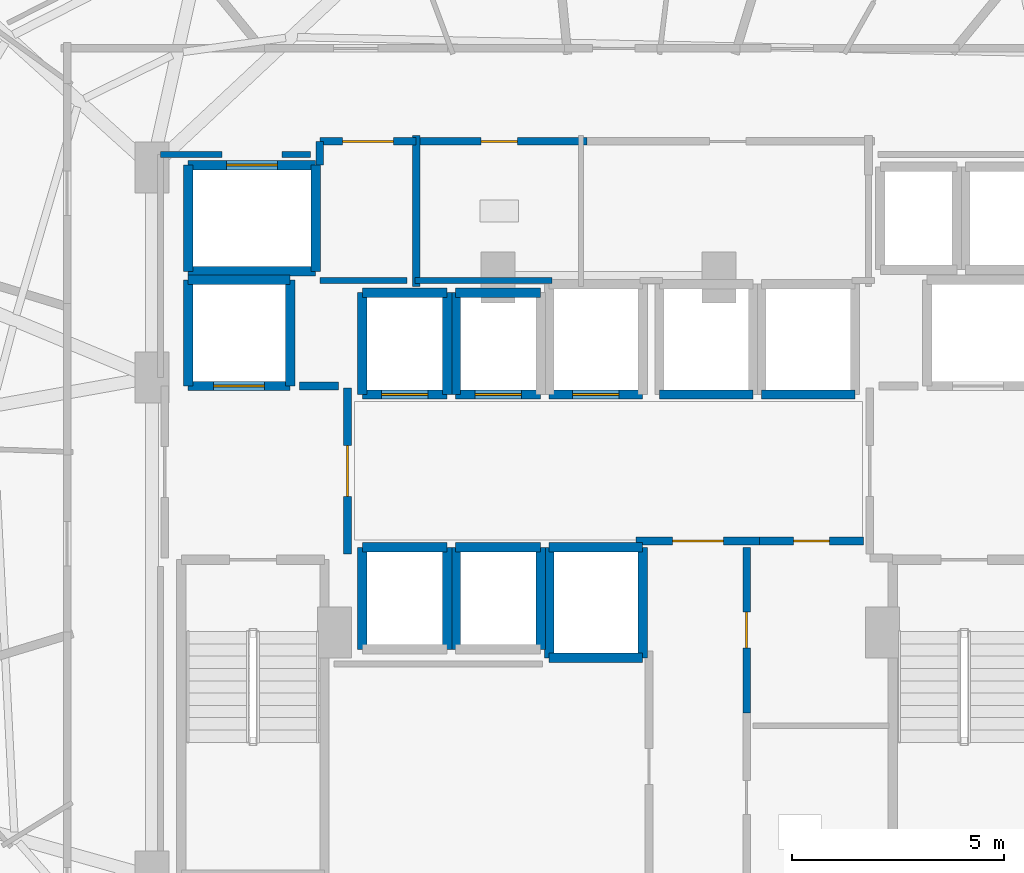
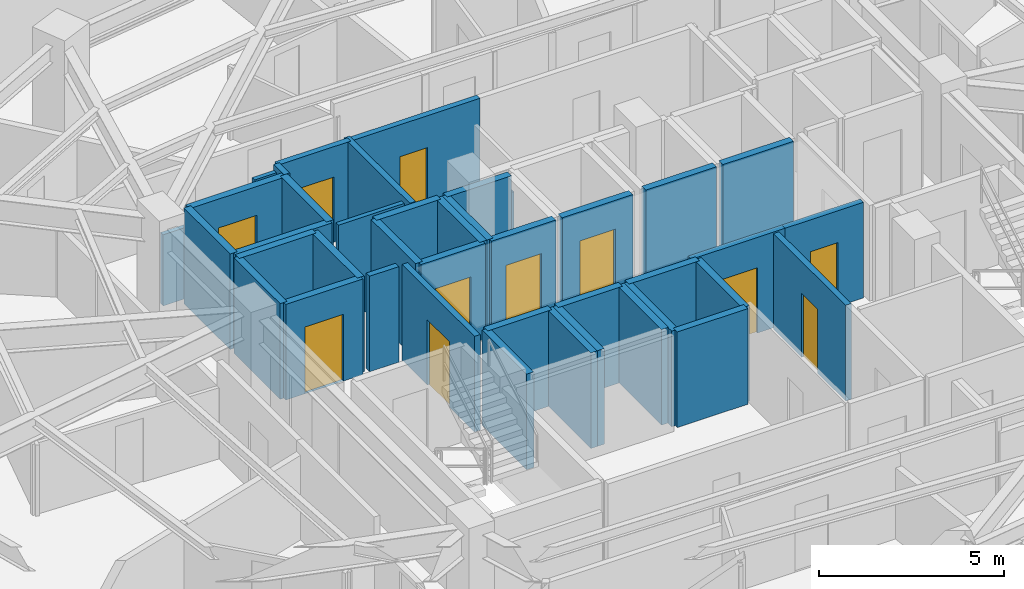
# One storey, part 23 of 29: 41 walls, 11 doors, 11 openings.
"""IFC4 building model written with IfcOpenShell, lengths in metres."""

from ifc_helpers import new_model, si_unit, direction, frame, frame_2d, origin, place, context, subcontext, project, spatial, rectangle, extrude, material, layer, layer_set, type_object, element, fill, save


model = new_model("IFC4")

# Units and contexts
model_context = context("Model", 3, precision=1e-05, world=origin(), true_north=direction((0.0, 1.0)))
body_context = subcontext(model_context, "Body", "Model", "MODEL_VIEW")
ifc_project = project(units=[si_unit("LENGTHUNIT", "METRE"), si_unit("AREAUNIT", "SQUARE_METRE"), si_unit("VOLUMEUNIT", "CUBIC_METRE"), si_unit("PLANEANGLEUNIT", "RADIAN"), si_unit("MASSUNIT", "GRAM", prefix="KILO")], contexts=[model_context])

# Site, building, storey
site_placement = place(None, origin())
site = spatial("IfcSite", under=ifc_project, at=site_placement, CompositionType="ELEMENT")
building_placement = place(site_placement, origin())
building = spatial("IfcBuilding", under=site, at=building_placement, Name="Vorneva Point Tower", CompositionType="ELEMENT")
storey_placement = place(building_placement, frame((0.0, 0.0, 120.800048828125)))
storey = spatial("IfcBuildingStorey", under=building, at=storey_placement, Name="L32", CompositionType="ELEMENT", Elevation=120.800048828125)

# Wall, opening, door
ifc_material_1 = material(Name="Concrete B60 (C50/60)", Category="concrete")
ifc_layer_1 = layer(ifc_material_1, 0.5)
ifc_layer_set_1 = layer_set([ifc_layer_1], Name="Concrete B60 (C50/60)")
wall_type_1 = type_object("IfcWallType", Name="WL-CORE-500", PredefinedType="SHEAR", material=ifc_layer_set_1)
wall_1_placement = place(storey_placement, frame((28.10009765625, 28.0, 0.0), z_axis=(0.0, 0.0, 1.0), x_axis=(1.0, 0.0, 0.0)))
wall_1 = element("IfcWall", 1, at=wall_1_placement, inside=storey, type_object=wall_type_1, Name="L32 Lift FFL1 Shaft Wall -Y", PredefinedType="SHEAR", context=body_context, shape_type="SweptSolid", body=[
    extrude(rectangle(XDim=2.39990234375, YDim=0.219970703125, at=frame_2d((1.199951171875, 0.0))), origin(), (0.0, 0.0, 1.0), 3.14990234375),
])
opening_1_placement = place(wall_1_placement, frame((0.60009765625, 0.0, 0.0)))
opening_1 = element("IfcOpeningElement", 2, at=opening_1_placement, cuts=wall_1, Name="Opening LD-02", PredefinedType="OPENING", context=body_context, shape_type="SweptSolid", body=[
    extrude(rectangle(XDim=1.199951171875, YDim=2.199951171875, at=frame_2d((0.60009765625, 1.10009765625))), frame((0.0, 0.125, 0.0), z_axis=(0.0, -1.0, 0.0), x_axis=(1.0, 0.0, 0.0)), (0.0, 0.0, 1.0), 0.249755859375),
])
ifc_material_2 = material(Name="Brushed stainless steel S304", Category="steel")
door_type_1 = type_object("IfcDoorType", Name="LD-FIRE-1200", OperationType="SLIDING_TO_LEFT", PredefinedType="DOOR", material=ifc_material_2)
door_1_placement = place(opening_1_placement, origin())
door_1 = element("IfcDoor", 3, at=door_1_placement, inside=storey, type_object=door_type_1, Name="L32 Lift FFL1 Sliding Landing Door", OperationType="SLIDING_TO_LEFT", OverallHeight=2.199951171875, OverallWidth=1.199951171875, PredefinedType="DOOR", context=body_context, shape_type="SweptSolid", body=[
    extrude(rectangle(XDim=1.199951171875, YDim=2.199951171875, at=frame_2d((0.60009765625, 1.10009765625))), frame((0.0, 0.02490234375, 0.0), z_axis=(0.0, -1.0, 0.0), x_axis=(1.0, 0.0, 0.0)), (0.0, 0.0, 1.0), 0.050048828125),
])
fill(opening_1, door_1)

# Walls
wall_2_placement = place(storey_placement, frame((30.5, 28.0, 0.0), z_axis=(0.0, 0.0, 1.0), x_axis=(0.0, 1.0, 0.0)))
element("IfcWall", 4, at=wall_2_placement, inside=storey, type_object=wall_type_1, Name="L32 Lift FFL1 Shaft Wall +X", PredefinedType="SHEAR", context=body_context, shape_type="SweptSolid", body=[
    extrude(rectangle(XDim=2.5, YDim=0.219970703125, at=frame_2d((1.25, 0.0))), origin(), (0.0, 0.0, 1.0), 3.14990234375),
])
wall_3_placement = place(storey_placement, frame((30.5, 30.5, 0.0), z_axis=(0.0, 0.0, 1.0), x_axis=(-1.0, 0.0, 0.0)))
element("IfcWall", 5, at=wall_3_placement, inside=storey, type_object=wall_type_1, Name="L32 Lift FFL1 Shaft Wall +Y", PredefinedType="SHEAR", context=body_context, shape_type="SweptSolid", body=[
    extrude(rectangle(XDim=2.39990234375, YDim=0.219970703125, at=frame_2d((1.199951171875, 0.0))), origin(), (0.0, 0.0, 1.0), 3.14990234375),
])
wall_4_placement = place(storey_placement, frame((28.10009765625, 30.5, 0.0), z_axis=(0.0, 0.0, 1.0), x_axis=(0.0, -1.0, 0.0)))
element("IfcWall", 6, at=wall_4_placement, inside=storey, type_object=wall_type_1, Name="L32 Lift FFL1 Shaft Wall -X", PredefinedType="SHEAR", context=body_context, shape_type="SweptSolid", body=[
    extrude(rectangle(XDim=2.5, YDim=0.219970703125, at=frame_2d((1.25, 0.0))), origin(), (0.0, 0.0, 1.0), 3.14990234375),
])
ifc_material_3 = material(Name="Fire-rated acoustic gypsum stud partition", Category="gypsum")
ifc_layer_2 = layer(ifc_material_3, 0.139892578125)
ifc_layer_set_2 = layer_set([ifc_layer_2], Name="Fire-rated acoustic gypsum stud partition")
wall_type_2 = type_object("IfcWallType", Name="WL-PART-140", PredefinedType="PARTITIONING", material=ifc_layer_set_2)
wall_5_placement = place(storey_placement, frame((31.199951171875, 30.47998046875, 0.0), z_axis=(0.0, 0.0, 1.0), x_axis=(1.0, 0.0, 0.0)))
element("IfcWall", 7, at=wall_5_placement, inside=storey, type_object=wall_type_2, Name="L32 Interior Closure Partition 090", PredefinedType="PARTITIONING", context=body_context, shape_type="SweptSolid", body=[
    extrude(rectangle(XDim=2.050048828125, YDim=0.139892578125, at=frame_2d((1.02490234375, 0.0))), origin(), (0.0, 0.0, 1.0), 3.14990234375),
])
wall_6_placement = place(storey_placement, frame((33.43994140625, 30.47998046875, 0.0), z_axis=(0.0, 0.0, 1.0), x_axis=(1.0, 0.0, 0.0)))
element("IfcWall", 8, at=wall_6_placement, inside=storey, type_object=wall_type_2, Name="L32 Interior Closure Partition 091", PredefinedType="PARTITIONING", context=body_context, shape_type="SweptSolid", body=[
    extrude(rectangle(XDim=3.22509765625, YDim=0.139892578125, at=frame_2d((1.612548828125, 0.0))), origin(), (0.0, 0.0, 1.0), 2.342041015625),
])
wall_7_placement = place(storey_placement, frame((27.449951171875, 33.449951171875, 0.0), z_axis=(0.0, 0.0, 1.0), x_axis=(1.0, 0.0, 0.0)))
element("IfcWall", 9, at=wall_7_placement, inside=storey, type_object=wall_type_2, Name="L32 Interior Closure Partition 103", PredefinedType="PARTITIONING", context=body_context, shape_type="SweptSolid", body=[
    extrude(rectangle(XDim=1.444091796875, YDim=0.139892578125, at=frame_2d((0.72216796875, 0.0))), origin(), (0.0, 0.0, 1.0), 2.342041015625),
])
wall_8_placement = place(storey_placement, frame((30.305908203125, 33.449951171875, 0.0), z_axis=(0.0, 0.0, 1.0), x_axis=(1.0, 0.0, 0.0)))
element("IfcWall", 10, at=wall_8_placement, inside=storey, type_object=wall_type_2, Name="L32 Interior Closure Partition 104", PredefinedType="PARTITIONING", context=body_context, shape_type="SweptSolid", body=[
    extrude(rectangle(XDim=0.674072265625, YDim=0.139892578125, at=frame_2d((0.3369140625, 0.0))), origin(), (0.0, 0.0, 1.0), 3.14990234375),
])

# Wall, opening, door
ifc_material_4 = material(Name="Autoclaved aerated concrete blockwork", Category="masonry")
ifc_layer_3 = layer(ifc_material_4, 0.179931640625)
ifc_layer_set_3 = layer_set([ifc_layer_3], Name="Autoclaved aerated concrete blockwork")
wall_type_3 = type_object("IfcWallType", Name="WL-PART-180", PredefinedType="PARTITIONING", material=ifc_layer_set_3)
wall_9_placement = place(storey_placement, frame((31.85009765625, 24.044921875, 0.0), z_axis=(0.0, 0.0, 1.0), x_axis=(0.0, 1.0, 0.0)))
wall_9 = element("IfcWall", 11, at=wall_9_placement, inside=storey, type_object=wall_type_3, Name="L32 Interior Partition 001", PredefinedType="PARTITIONING", context=body_context, shape_type="SweptSolid", body=[
    extrude(rectangle(XDim=3.91015625, YDim=0.179931640625, at=frame_2d((1.955078125, 0.0))), origin(), (0.0, 0.0, 1.0), 3.14990234375),
])
opening_2_placement = place(wall_9_placement, frame((1.35498046875, 0.0, 0.0)))
opening_2 = element("IfcOpeningElement", 12, at=opening_2_placement, cuts=wall_9, Name="Opening FD-02", PredefinedType="OPENING", context=body_context, shape_type="SweptSolid", body=[
    extrude(rectangle(XDim=1.199951171875, YDim=2.14990234375, at=frame_2d((0.60009765625, 1.074951171875))), frame((0.0, 0.10498046875, 0.0), z_axis=(0.0, -1.0, 0.0), x_axis=(1.0, 0.0, 0.0)), (0.0, 0.0, 1.0), 0.209716796875),
])
ifc_material_5 = material(Name="Fire-rated powder-coated steel", Category="steel")
door_type_2 = type_object("IfcDoorType", Name="DR-FFL-1200", OperationType="NOTDEFINED", PredefinedType="DOOR", material=ifc_material_5)
door_2_placement = place(opening_2_placement, origin())
door_2 = element("IfcDoor", 13, at=door_2_placement, inside=storey, type_object=door_type_2, Name="L32 Door West Firefighting Lobby / Central Lift Lobby", OperationType="SINGLE_SWING_LEFT", OverallHeight=2.14990234375, OverallWidth=1.199951171875, PredefinedType="DOOR", context=body_context, shape_type="SweptSolid", body=[
    extrude(rectangle(XDim=1.199951171875, YDim=2.14990234375, at=frame_2d((0.60009765625, 1.074951171875))), frame((0.0, 0.02490234375, 0.0), z_axis=(0.0, -1.0, 0.0), x_axis=(1.0, 0.0, 0.0)), (0.0, 0.0, 1.0), 0.050048828125),
])
fill(opening_2, door_2)

# Wall
wall_10_placement = place(storey_placement, frame((33.469970703125, 30.340087890625, 0.0), z_axis=(0.0, 0.0, 1.0), x_axis=(0.0, 1.0, 0.0)))
element("IfcWall", 14, at=wall_10_placement, inside=storey, type_object=wall_type_3, Name="L32 Interior Partition 006", PredefinedType="PARTITIONING", context=body_context, shape_type="SweptSolid", body=[
    extrude(rectangle(XDim=3.559814453125, YDim=0.179931640625, at=frame_2d((1.77978515625, 0.0))), origin(), (0.0, 0.0, 1.0), 3.14990234375),
])

# Wall, opening, door
wall_11_placement = place(storey_placement, frame((33.469970703125, 33.760009765625, 0.0), z_axis=(0.0, 0.0, 1.0), x_axis=(-1.0, 0.0, 0.0)))
wall_11 = element("IfcWall", 15, at=wall_11_placement, inside=storey, type_object=wall_type_3, Name="L32 Interior Partition 007", PredefinedType="PARTITIONING", context=body_context, shape_type="SweptSolid", body=[
    extrude(rectangle(XDim=2.27001953125, YDim=0.179931640625, at=frame_2d((1.135009765625, 0.0))), origin(), (0.0, 0.0, 1.0), 3.14990234375),
])
opening_3_placement = place(wall_11_placement, frame((0.534912109375, 0.0, 0.0)))
opening_3 = element("IfcOpeningElement", 16, at=opening_3_placement, cuts=wall_11, Name="Opening FD-02", PredefinedType="OPENING", context=body_context, shape_type="SweptSolid", body=[
    extrude(rectangle(XDim=1.199951171875, YDim=2.14990234375, at=frame_2d((0.60009765625, 1.074951171875))), frame((0.0, 0.10498046875, 0.0), z_axis=(0.0, -1.0, 0.0), x_axis=(1.0, 0.0, 0.0)), (0.0, 0.0, 1.0), 0.209716796875),
])
door_3_placement = place(opening_3_placement, origin())
door_3 = element("IfcDoor", 17, at=door_3_placement, inside=storey, type_object=door_type_2, Name="L32 Door Service Lift Lobby / L32 Circulation Corridor", OperationType="SINGLE_SWING_LEFT", OverallHeight=2.14990234375, OverallWidth=1.199951171875, PredefinedType="DOOR", context=body_context, shape_type="SweptSolid", body=[
    extrude(rectangle(XDim=1.199951171875, YDim=2.14990234375, at=frame_2d((0.60009765625, 1.074951171875))), frame((0.0, 0.02490234375, 0.0), z_axis=(0.0, -1.0, 0.0), x_axis=(1.0, 0.0, 0.0)), (0.0, 0.0, 1.0), 0.050048828125),
])
fill(opening_3, door_3)

# Wall
wall_12_placement = place(storey_placement, frame((31.199951171875, 33.760009765625, 0.0), z_axis=(0.0, 0.0, 1.0), x_axis=(0.0, -1.0, 0.0)))
element("IfcWall", 18, at=wall_12_placement, inside=storey, type_object=wall_type_3, Name="L32 Interior Partition 008", PredefinedType="PARTITIONING", context=body_context, shape_type="SweptSolid", body=[
    extrude(rectangle(XDim=0.56005859375, YDim=0.179931640625, at=frame_2d((0.280029296875, 0.0))), origin(), (0.0, 0.0, 1.0), 3.14990234375),
])

# Wall, opening, door
wall_13_placement = place(storey_placement, frame((38.64501953125, 24.35009765625, 0.0), z_axis=(0.0, 0.0, 1.0), x_axis=(1.0, 0.0, 0.0)))
wall_13 = element("IfcWall", 19, at=wall_13_placement, inside=storey, type_object=wall_type_3, Name="L32 Interior Partition 009", PredefinedType="PARTITIONING", context=body_context, shape_type="SweptSolid", body=[
    extrude(rectangle(XDim=2.909912109375, YDim=0.179931640625, at=frame_2d((1.455078125, 0.0))), origin(), (0.0, 0.0, 1.0), 3.14990234375),
])
opening_4_placement = place(wall_13_placement, frame((0.85498046875, 0.0, 0.0)))
opening_4 = element("IfcOpeningElement", 20, at=opening_4_placement, cuts=wall_13, Name="Opening FD-02", PredefinedType="OPENING", context=body_context, shape_type="SweptSolid", body=[
    extrude(rectangle(XDim=1.199951171875, YDim=2.14990234375, at=frame_2d((0.60009765625, 1.074951171875))), frame((0.0, 0.10498046875, 0.0), z_axis=(0.0, -1.0, 0.0), x_axis=(1.0, 0.0, 0.0)), (0.0, 0.0, 1.0), 0.209716796875),
])
door_4_placement = place(opening_4_placement, origin())
door_4 = element("IfcDoor", 21, at=door_4_placement, inside=storey, type_object=door_type_2, Name="L32 Door Central Lift Lobby / Core Service Lobby", OperationType="SINGLE_SWING_RIGHT", OverallHeight=2.14990234375, OverallWidth=1.199951171875, PredefinedType="DOOR", context=body_context, shape_type="SweptSolid", body=[
    extrude(rectangle(XDim=1.199951171875, YDim=2.14990234375, at=frame_2d((0.60009765625, 1.074951171875))), frame((0.0, 0.02490234375, 0.0), z_axis=(0.0, -1.0, 0.0), x_axis=(1.0, 0.0, 0.0)), (0.0, 0.0, 1.0), 0.050048828125),
])
fill(opening_4, door_4)

wall_14_placement = place(storey_placement, frame((41.554931640625, 24.35009765625, 0.0), z_axis=(0.0, 0.0, 1.0), x_axis=(1.0, 0.0, 0.0)))
wall_14 = element("IfcWall", 22, at=wall_14_placement, inside=storey, type_object=wall_type_3, Name="L32 Interior Partition 010", PredefinedType="PARTITIONING", context=body_context, shape_type="SweptSolid", body=[
    extrude(rectangle(XDim=2.445068359375, YDim=0.179931640625, at=frame_2d((1.22265625, 0.0))), origin(), (0.0, 0.0, 1.0), 3.14990234375),
])
opening_5_placement = place(wall_14_placement, frame((0.797607421875, 0.0, 0.0)))
opening_5 = element("IfcOpeningElement", 23, at=opening_5_placement, cuts=wall_14, Name="Opening ID-02", PredefinedType="OPENING", context=body_context, shape_type="SweptSolid", body=[
    extrude(rectangle(XDim=0.85009765625, YDim=2.10009765625, at=frame_2d((0.425048828125, 1.050048828125))), frame((0.0, 0.10498046875, 0.0), z_axis=(0.0, -1.0, 0.0), x_axis=(1.0, 0.0, 0.0)), (0.0, 0.0, 1.0), 0.209716796875),
])
ifc_material_6 = material(Name="Engineered oak fire-rated door leaf", Category="wood")
door_type_3 = type_object("IfcDoorType", Name="DR-BATH-850", OperationType="NOTDEFINED", PredefinedType="DOOR", material=ifc_material_6)
door_5_placement = place(opening_5_placement, origin())
door_5 = element("IfcDoor", 24, at=door_5_placement, inside=storey, type_object=door_type_3, Name="L32 Door Central Lift Lobby / Cleaners Store", OperationType="SINGLE_SWING_LEFT", OverallHeight=2.10009765625, OverallWidth=0.85009765625, PredefinedType="DOOR", context=body_context, shape_type="SweptSolid", body=[
    extrude(rectangle(XDim=0.85009765625, YDim=2.10009765625, at=frame_2d((0.425048828125, 1.050048828125))), frame((0.0, 0.02490234375, 0.0), z_axis=(0.0, -1.0, 0.0), x_axis=(1.0, 0.0, 0.0)), (0.0, 0.0, 1.0), 0.050048828125),
])
fill(opening_5, door_5)

wall_15_placement = place(storey_placement, frame((41.25, 20.304931640625, 0.0), z_axis=(0.0, 0.0, 1.0), x_axis=(0.0, 1.0, 0.0)))
wall_15 = element("IfcWall", 25, at=wall_15_placement, inside=storey, type_object=wall_type_3, Name="L32 Interior Partition 012", PredefinedType="PARTITIONING", context=body_context, shape_type="SweptSolid", body=[
    extrude(rectangle(XDim=3.89501953125, YDim=0.179931640625, at=frame_2d((1.947509765625, 0.0))), origin(), (0.0, 0.0, 1.0), 3.14990234375),
])
opening_6_placement = place(wall_15_placement, frame((1.5224609375, 0.0, 0.0)))
opening_6 = element("IfcOpeningElement", 26, at=opening_6_placement, cuts=wall_15, Name="Opening ID-02", PredefinedType="OPENING", context=body_context, shape_type="SweptSolid", body=[
    extrude(rectangle(XDim=0.85009765625, YDim=2.10009765625, at=frame_2d((0.425048828125, 1.050048828125))), frame((0.0, 0.10498046875, 0.0), z_axis=(0.0, -1.0, 0.0), x_axis=(1.0, 0.0, 0.0)), (0.0, 0.0, 1.0), 0.209716796875),
])
door_6_placement = place(opening_6_placement, origin())
door_6 = element("IfcDoor", 27, at=door_6_placement, inside=storey, type_object=door_type_3, Name="L32 Door Core Service Lobby / Cleaners Store", OperationType="SINGLE_SWING_LEFT", OverallHeight=2.10009765625, OverallWidth=0.85009765625, PredefinedType="DOOR", context=body_context, shape_type="SweptSolid", body=[
    extrude(rectangle(XDim=0.85009765625, YDim=2.10009765625, at=frame_2d((0.425048828125, 1.050048828125))), frame((0.0, 0.02490234375, 0.0), z_axis=(0.0, -1.0, 0.0), x_axis=(1.0, 0.0, 0.0)), (0.0, 0.0, 1.0), 0.050048828125),
])
fill(opening_6, door_6)

wall_16_placement = place(storey_placement, frame((37.489990234375, 33.760009765625, 0.0), z_axis=(0.0, 0.0, 1.0), x_axis=(-1.0, 0.0, 0.0)))
wall_16 = element("IfcWall", 28, at=wall_16_placement, inside=storey, type_object=wall_type_3, Name="L32 Interior Partition 018", PredefinedType="PARTITIONING", context=body_context, shape_type="SweptSolid", body=[
    extrude(rectangle(XDim=4.1298828125, YDim=0.179931640625, at=frame_2d((2.06494140625, 0.0))), origin(), (0.0, 0.0, 1.0), 3.14990234375),
])
opening_7_placement = place(wall_16_placement, frame((1.639892578125, 0.0, 0.0)))
opening_7 = element("IfcOpeningElement", 29, at=opening_7_placement, cuts=wall_16, Name="Opening ID-02", PredefinedType="OPENING", context=body_context, shape_type="SweptSolid", body=[
    extrude(rectangle(XDim=0.85009765625, YDim=2.10009765625, at=frame_2d((0.425048828125, 1.050048828125))), frame((0.0, 0.10498046875, 0.0), z_axis=(0.0, -1.0, 0.0), x_axis=(1.0, 0.0, 0.0)), (0.0, 0.0, 1.0), 0.209716796875),
])
door_7_placement = place(opening_7_placement, origin())
door_7 = element("IfcDoor", 30, at=door_7_placement, inside=storey, type_object=door_type_3, Name="L32 Door Accessible WC / L32 Circulation Corridor", OperationType="SINGLE_SWING_LEFT", OverallHeight=2.10009765625, OverallWidth=0.85009765625, PredefinedType="DOOR", context=body_context, shape_type="SweptSolid", body=[
    extrude(rectangle(XDim=0.85009765625, YDim=2.10009765625, at=frame_2d((0.425048828125, 1.050048828125))), frame((0.0, 0.02490234375, 0.0), z_axis=(0.0, -1.0, 0.0), x_axis=(1.0, 0.0, 0.0)), (0.0, 0.0, 1.0), 0.050048828125),
])
fill(opening_7, door_7)

# Wall
wall_17_placement = place(storey_placement, frame((31.635009765625, 28.0, 0.0), z_axis=(0.0, 0.0, 1.0), x_axis=(-1.0, 0.0, 0.0)))
element("IfcWall", 31, at=wall_17_placement, inside=storey, type_object=wall_type_3, Name="L32 Interior Closure Partition 088", PredefinedType="PARTITIONING", context=body_context, shape_type="SweptSolid", body=[
    extrude(rectangle(XDim=0.9150390625, YDim=0.179931640625, at=frame_2d((0.45751953125, 0.0))), origin(), (0.0, 0.0, 1.0), 3.14990234375),
])

# Wall, opening, door
ifc_material_7 = material(Name="Concrete B50 (C40/50)", Category="concrete")
ifc_layer_4 = layer(ifc_material_7, 0.219970703125)
ifc_layer_set_4 = layer_set([ifc_layer_4], Name="Concrete B50 (C40/50)")
wall_type_4 = type_object("IfcWallType", Name="WL-SHFT-220", PredefinedType="SOLIDWALL", material=ifc_layer_set_4)
wall_18_placement = place(storey_placement, frame((32.199951171875, 27.800048828125, 0.0), z_axis=(0.0, 0.0, 1.0), x_axis=(1.0, 0.0, 0.0)))
wall_18 = element("IfcWall", 32, at=wall_18_placement, inside=storey, type_object=wall_type_4, Name="L32 Lift PL1 Shaft Wall -Y", PredefinedType="SOLIDWALL", context=body_context, shape_type="SweptSolid", body=[
    extrude(rectangle(XDim=2.0, YDim=0.219970703125, at=frame_2d((1.0, 0.0))), origin(), (0.0, 0.0, 1.0), 3.14990234375),
])
opening_8_placement = place(wall_18_placement, frame((0.449951171875, 0.0, 0.0)))
opening_8 = element("IfcOpeningElement", 33, at=opening_8_placement, cuts=wall_18, Name="Opening LD-01", PredefinedType="OPENING", context=body_context, shape_type="SweptSolid", body=[
    extrude(rectangle(XDim=1.10009765625, YDim=2.199951171875, at=frame_2d((0.550048828125, 1.10009765625))), frame((0.0, 0.125, 0.0), z_axis=(0.0, -1.0, 0.0), x_axis=(1.0, 0.0, 0.0)), (0.0, 0.0, 1.0), 0.249755859375),
])
door_type_4 = type_object("IfcDoorType", Name="LD-PASS-1100", OperationType="SLIDING_TO_LEFT", PredefinedType="DOOR", material=ifc_material_2)
door_8_placement = place(opening_8_placement, origin())
door_8 = element("IfcDoor", 34, at=door_8_placement, inside=storey, type_object=door_type_4, Name="L32 Lift PL1 Sliding Landing Door", OperationType="SLIDING_TO_LEFT", OverallHeight=2.199951171875, OverallWidth=1.10009765625, PredefinedType="DOOR", context=body_context, shape_type="SweptSolid", body=[
    extrude(rectangle(XDim=1.10009765625, YDim=2.199951171875, at=frame_2d((0.550048828125, 1.10009765625))), frame((0.0, 0.02490234375, 0.0), z_axis=(0.0, -1.0, 0.0), x_axis=(1.0, 0.0, 0.0)), (0.0, 0.0, 1.0), 0.050048828125),
])
fill(opening_8, door_8)

# Walls
wall_19_placement = place(storey_placement, frame((34.199951171875, 27.800048828125, 0.0), z_axis=(0.0, 0.0, 1.0), x_axis=(0.0, 1.0, 0.0)))
element("IfcWall", 35, at=wall_19_placement, inside=storey, type_object=wall_type_4, Name="L32 Lift PL1 Shaft Wall +X", PredefinedType="SOLIDWALL", context=body_context, shape_type="SweptSolid", body=[
    extrude(rectangle(XDim=2.39990234375, YDim=0.219970703125, at=frame_2d((1.199951171875, 0.0))), origin(), (0.0, 0.0, 1.0), 3.14990234375),
])
wall_20_placement = place(storey_placement, frame((34.199951171875, 30.199951171875, 0.0), z_axis=(0.0, 0.0, 1.0), x_axis=(-1.0, 0.0, 0.0)))
element("IfcWall", 36, at=wall_20_placement, inside=storey, type_object=wall_type_4, Name="L32 Lift PL1 Shaft Wall +Y", PredefinedType="SOLIDWALL", context=body_context, shape_type="SweptSolid", body=[
    extrude(rectangle(XDim=2.0, YDim=0.219970703125, at=frame_2d((1.0, 0.0))), origin(), (0.0, 0.0, 1.0), 3.14990234375),
])
wall_21_placement = place(storey_placement, frame((32.199951171875, 30.199951171875, 0.0), z_axis=(0.0, 0.0, 1.0), x_axis=(0.0, -1.0, 0.0)))
element("IfcWall", 37, at=wall_21_placement, inside=storey, type_object=wall_type_4, Name="L32 Lift PL1 Shaft Wall -X", PredefinedType="SOLIDWALL", context=body_context, shape_type="SweptSolid", body=[
    extrude(rectangle(XDim=2.39990234375, YDim=0.219970703125, at=frame_2d((1.199951171875, 0.0))), origin(), (0.0, 0.0, 1.0), 3.14990234375),
])

# Wall, opening, door
wall_22_placement = place(storey_placement, frame((34.39990234375, 27.800048828125, 0.0), z_axis=(0.0, 0.0, 1.0), x_axis=(1.0, 0.0, 0.0)))
wall_22 = element("IfcWall", 38, at=wall_22_placement, inside=storey, type_object=wall_type_4, Name="L32 Lift PL2 Shaft Wall -Y", PredefinedType="SOLIDWALL", context=body_context, shape_type="SweptSolid", body=[
    extrude(rectangle(XDim=2.0, YDim=0.219970703125, at=frame_2d((1.0, 0.0))), origin(), (0.0, 0.0, 1.0), 3.14990234375),
])
opening_9_placement = place(wall_22_placement, frame((0.449951171875, 0.0, 0.0)))
opening_9 = element("IfcOpeningElement", 39, at=opening_9_placement, cuts=wall_22, Name="Opening LD-01", PredefinedType="OPENING", context=body_context, shape_type="SweptSolid", body=[
    extrude(rectangle(XDim=1.10009765625, YDim=2.199951171875, at=frame_2d((0.550048828125, 1.10009765625))), frame((0.0, 0.125, 0.0), z_axis=(0.0, -1.0, 0.0), x_axis=(1.0, 0.0, 0.0)), (0.0, 0.0, 1.0), 0.249755859375),
])
door_9_placement = place(opening_9_placement, origin())
door_9 = element("IfcDoor", 40, at=door_9_placement, inside=storey, type_object=door_type_4, Name="L32 Lift PL2 Sliding Landing Door", OperationType="SLIDING_TO_LEFT", OverallHeight=2.199951171875, OverallWidth=1.10009765625, PredefinedType="DOOR", context=body_context, shape_type="SweptSolid", body=[
    extrude(rectangle(XDim=1.10009765625, YDim=2.199951171875, at=frame_2d((0.550048828125, 1.10009765625))), frame((0.0, 0.02490234375, 0.0), z_axis=(0.0, -1.0, 0.0), x_axis=(1.0, 0.0, 0.0)), (0.0, 0.0, 1.0), 0.050048828125),
])
fill(opening_9, door_9)

# Walls
wall_23_placement = place(storey_placement, frame((36.39990234375, 30.199951171875, 0.0), z_axis=(0.0, 0.0, 1.0), x_axis=(-1.0, 0.0, 0.0)))
element("IfcWall", 41, at=wall_23_placement, inside=storey, type_object=wall_type_4, Name="L32 Lift PL2 Shaft Wall +Y", PredefinedType="SOLIDWALL", context=body_context, shape_type="SweptSolid", body=[
    extrude(rectangle(XDim=2.0, YDim=0.219970703125, at=frame_2d((1.0, 0.0))), origin(), (0.0, 0.0, 1.0), 3.14990234375),
])
wall_24_placement = place(storey_placement, frame((34.39990234375, 30.199951171875, 0.0), z_axis=(0.0, 0.0, 1.0), x_axis=(0.0, -1.0, 0.0)))
element("IfcWall", 42, at=wall_24_placement, inside=storey, type_object=wall_type_4, Name="L32 Lift PL2 Shaft Wall -X", PredefinedType="SOLIDWALL", context=body_context, shape_type="SweptSolid", body=[
    extrude(rectangle(XDim=2.39990234375, YDim=0.219970703125, at=frame_2d((1.199951171875, 0.0))), origin(), (0.0, 0.0, 1.0), 3.14990234375),
])

# Wall, opening, door
wall_25_placement = place(storey_placement, frame((36.60009765625, 27.800048828125, 0.0), z_axis=(0.0, 0.0, 1.0), x_axis=(1.0, 0.0, 0.0)))
wall_25 = element("IfcWall", 43, at=wall_25_placement, inside=storey, type_object=wall_type_4, Name="L32 Lift PL3 Shaft Wall -Y", PredefinedType="SOLIDWALL", context=body_context, shape_type="SweptSolid", body=[
    extrude(rectangle(XDim=2.199951171875, YDim=0.219970703125, at=frame_2d((1.10009765625, 0.0))), origin(), (0.0, 0.0, 1.0), 3.14990234375),
])
opening_10_placement = place(wall_25_placement, frame((0.550048828125, 0.0, 0.0)))
opening_10 = element("IfcOpeningElement", 44, at=opening_10_placement, cuts=wall_25, Name="Opening LD-01", PredefinedType="OPENING", context=body_context, shape_type="SweptSolid", body=[
    extrude(rectangle(XDim=1.10009765625, YDim=2.199951171875, at=frame_2d((0.550048828125, 1.10009765625))), frame((0.0, 0.125, 0.0), z_axis=(0.0, -1.0, 0.0), x_axis=(1.0, 0.0, 0.0)), (0.0, 0.0, 1.0), 0.249755859375),
])
door_10_placement = place(opening_10_placement, origin())
door_10 = element("IfcDoor", 45, at=door_10_placement, inside=storey, type_object=door_type_4, Name="L32 Lift PL3 Sliding Landing Door", OperationType="SLIDING_TO_LEFT", OverallHeight=2.199951171875, OverallWidth=1.10009765625, PredefinedType="DOOR", context=body_context, shape_type="SweptSolid", body=[
    extrude(rectangle(XDim=1.10009765625, YDim=2.199951171875, at=frame_2d((0.550048828125, 1.10009765625))), frame((0.0, 0.02490234375, 0.0), z_axis=(0.0, -1.0, 0.0), x_axis=(1.0, 0.0, 0.0)), (0.0, 0.0, 1.0), 0.050048828125),
])
fill(opening_10, door_10)

# Walls
wall_26_placement = place(storey_placement, frame((34.199951171875, 21.800048828125, 0.0), z_axis=(0.0, 0.0, 1.0), x_axis=(0.0, 1.0, 0.0)))
element("IfcWall", 46, at=wall_26_placement, inside=storey, type_object=wall_type_4, Name="L32 Lift PL4 Shaft Wall +X", PredefinedType="SOLIDWALL", context=body_context, shape_type="SweptSolid", body=[
    extrude(rectangle(XDim=2.39990234375, YDim=0.219970703125, at=frame_2d((1.199951171875, 0.0))), origin(), (0.0, 0.0, 1.0), 3.14990234375),
])
wall_27_placement = place(storey_placement, frame((34.199951171875, 24.199951171875, 0.0), z_axis=(0.0, 0.0, 1.0), x_axis=(-1.0, 0.0, 0.0)))
element("IfcWall", 47, at=wall_27_placement, inside=storey, type_object=wall_type_4, Name="L32 Lift PL4 Shaft Wall +Y", PredefinedType="SOLIDWALL", context=body_context, shape_type="SweptSolid", body=[
    extrude(rectangle(XDim=2.0, YDim=0.219970703125, at=frame_2d((1.0, 0.0))), origin(), (0.0, 0.0, 1.0), 3.14990234375),
])
for number, where, z_axis, x_axis, name in (
    (48, (32.199951171875, 24.199951171875, 0.0), (0.0, 0.0, 1.0), (0.0, -1.0, 0.0), "L32 Lift PL4 Shaft Wall -X"),
    (49, (36.39990234375, 21.800048828125, 0.0), (0.0, 0.0, 1.0), (0.0, 1.0, 0.0), "L32 Lift PL5 Shaft Wall +X"),
):
    element("IfcWall", number, at=place(storey_placement, frame(where, z_axis=z_axis, x_axis=x_axis)), inside=storey, type_object=wall_type_4, Name=name, PredefinedType="SOLIDWALL", context=body_context, shape_type="SweptSolid", body=[
        extrude(rectangle(XDim=2.39990234375, YDim=0.219970703125, at=frame_2d((1.199951171875, 0.0))), origin(), (0.0, 0.0, 1.0), 3.14990234375),
    ])
wall_28_placement = place(storey_placement, frame((36.39990234375, 24.199951171875, 0.0), z_axis=(0.0, 0.0, 1.0), x_axis=(-1.0, 0.0, 0.0)))
element("IfcWall", 50, at=wall_28_placement, inside=storey, type_object=wall_type_4, Name="L32 Lift PL5 Shaft Wall +Y", PredefinedType="SOLIDWALL", context=body_context, shape_type="SweptSolid", body=[
    extrude(rectangle(XDim=2.0, YDim=0.219970703125, at=frame_2d((1.0, 0.0))), origin(), (0.0, 0.0, 1.0), 3.14990234375),
])
wall_29_placement = place(storey_placement, frame((34.39990234375, 24.199951171875, 0.0), z_axis=(0.0, 0.0, 1.0), x_axis=(0.0, -1.0, 0.0)))
element("IfcWall", 51, at=wall_29_placement, inside=storey, type_object=wall_type_4, Name="L32 Lift PL5 Shaft Wall -X", PredefinedType="SOLIDWALL", context=body_context, shape_type="SweptSolid", body=[
    extrude(rectangle(XDim=2.39990234375, YDim=0.219970703125, at=frame_2d((1.199951171875, 0.0))), origin(), (0.0, 0.0, 1.0), 3.14990234375),
])
wall_30_placement = place(storey_placement, frame((36.60009765625, 21.60009765625, 0.0), z_axis=(0.0, 0.0, 1.0), x_axis=(1.0, 0.0, 0.0)))
element("IfcWall", 52, at=wall_30_placement, inside=storey, type_object=wall_type_4, Name="L32 Lift PL6 Shaft Wall -Y", PredefinedType="SOLIDWALL", context=body_context, shape_type="SweptSolid", body=[
    extrude(rectangle(XDim=2.199951171875, YDim=0.219970703125, at=frame_2d((1.10009765625, 0.0))), origin(), (0.0, 0.0, 1.0), 3.14990234375),
])
wall_31_placement = place(storey_placement, frame((38.800048828125, 21.60009765625, 0.0), z_axis=(0.0, 0.0, 1.0), x_axis=(0.0, 1.0, 0.0)))
element("IfcWall", 53, at=wall_31_placement, inside=storey, type_object=wall_type_4, Name="L32 Lift PL6 Shaft Wall +X", PredefinedType="SOLIDWALL", context=body_context, shape_type="SweptSolid", body=[
    extrude(rectangle(XDim=2.599853515625, YDim=0.219970703125, at=frame_2d((1.2998046875, 0.0))), origin(), (0.0, 0.0, 1.0), 3.14990234375),
])
wall_32_placement = place(storey_placement, frame((38.800048828125, 24.199951171875, 0.0), z_axis=(0.0, 0.0, 1.0), x_axis=(-1.0, 0.0, 0.0)))
element("IfcWall", 54, at=wall_32_placement, inside=storey, type_object=wall_type_4, Name="L32 Lift PL6 Shaft Wall +Y", PredefinedType="SOLIDWALL", context=body_context, shape_type="SweptSolid", body=[
    extrude(rectangle(XDim=2.199951171875, YDim=0.219970703125, at=frame_2d((1.10009765625, 0.0))), origin(), (0.0, 0.0, 1.0), 3.14990234375),
])
wall_33_placement = place(storey_placement, frame((36.60009765625, 24.199951171875, 0.0), z_axis=(0.0, 0.0, 1.0), x_axis=(0.0, -1.0, 0.0)))
element("IfcWall", 55, at=wall_33_placement, inside=storey, type_object=wall_type_4, Name="L32 Lift PL6 Shaft Wall -X", PredefinedType="SOLIDWALL", context=body_context, shape_type="SweptSolid", body=[
    extrude(rectangle(XDim=2.599853515625, YDim=0.219970703125, at=frame_2d((1.2998046875, 0.0))), origin(), (0.0, 0.0, 1.0), 3.14990234375),
])
for number, where, z_axis, x_axis, name in (
    (56, (39.199951171875, 27.800048828125, 0.0), (0.0, 0.0, 1.0), (1.0, 0.0, 0.0), "L32 Lift PL7 Shaft Wall -Y"),
    (57, (41.60009765625, 27.800048828125, 0.0), (0.0, 0.0, 1.0), (1.0, 0.0, 0.0), "L32 Lift PL8 Shaft Wall -Y"),
):
    element("IfcWall", number, at=place(storey_placement, frame(where, z_axis=z_axis, x_axis=x_axis)), inside=storey, type_object=wall_type_4, Name=name, PredefinedType="SOLIDWALL", context=body_context, shape_type="SweptSolid", body=[
        extrude(rectangle(XDim=2.199951171875, YDim=0.219970703125, at=frame_2d((1.10009765625, 0.0))), origin(), (0.0, 0.0, 1.0), 3.14990234375),
    ])
wall_34_placement = place(storey_placement, frame((28.10009765625, 30.699951171875, 0.0), z_axis=(0.0, 0.0, 1.0), x_axis=(1.0, 0.0, 0.0)))
element("IfcWall", 58, at=wall_34_placement, inside=storey, type_object=wall_type_4, Name="L32 Lift SVL1 Shaft Wall -Y", PredefinedType="SOLIDWALL", context=body_context, shape_type="SweptSolid", body=[
    extrude(rectangle(XDim=3.0, YDim=0.219970703125, at=frame_2d((1.5, 0.0))), origin(), (0.0, 0.0, 1.0), 3.14990234375),
])
wall_35_placement = place(storey_placement, frame((31.10009765625, 30.699951171875, 0.0), z_axis=(0.0, 0.0, 1.0), x_axis=(0.0, 1.0, 0.0)))
element("IfcWall", 59, at=wall_35_placement, inside=storey, type_object=wall_type_4, Name="L32 Lift SVL1 Shaft Wall +X", PredefinedType="SOLIDWALL", context=body_context, shape_type="SweptSolid", body=[
    extrude(rectangle(XDim=2.5, YDim=0.219970703125, at=frame_2d((1.25, 0.0))), origin(), (0.0, 0.0, 1.0), 3.14990234375),
])

# Wall, opening, door
wall_36_placement = place(storey_placement, frame((31.10009765625, 33.199951171875, 0.0), z_axis=(0.0, 0.0, 1.0), x_axis=(-1.0, 0.0, 0.0)))
wall_36 = element("IfcWall", 60, at=wall_36_placement, inside=storey, type_object=wall_type_4, Name="L32 Lift SVL1 Shaft Wall +Y", PredefinedType="SOLIDWALL", context=body_context, shape_type="SweptSolid", body=[
    extrude(rectangle(XDim=3.0, YDim=0.219970703125, at=frame_2d((1.5, 0.0))), origin(), (0.0, 0.0, 1.0), 3.14990234375),
])
opening_11_placement = place(wall_36_placement, frame((0.89990234375, 0.0, 0.0)))
opening_11 = element("IfcOpeningElement", 61, at=opening_11_placement, cuts=wall_36, Name="Opening LD-02", PredefinedType="OPENING", context=body_context, shape_type="SweptSolid", body=[
    extrude(rectangle(XDim=1.199951171875, YDim=2.199951171875, at=frame_2d((0.60009765625, 1.10009765625))), frame((0.0, 0.125, 0.0), z_axis=(0.0, -1.0, 0.0), x_axis=(1.0, 0.0, 0.0)), (0.0, 0.0, 1.0), 0.249755859375),
])
door_11_placement = place(opening_11_placement, origin())
door_11 = element("IfcDoor", 62, at=door_11_placement, inside=storey, type_object=door_type_1, Name="L32 Lift SVL1 Sliding Landing Door", OperationType="SLIDING_TO_LEFT", OverallHeight=2.199951171875, OverallWidth=1.199951171875, PredefinedType="DOOR", context=body_context, shape_type="SweptSolid", body=[
    extrude(rectangle(XDim=1.199951171875, YDim=2.199951171875, at=frame_2d((0.60009765625, 1.10009765625))), frame((0.0, 0.02490234375, 0.0), z_axis=(0.0, -1.0, 0.0), x_axis=(1.0, 0.0, 0.0)), (0.0, 0.0, 1.0), 0.050048828125),
])
fill(opening_11, door_11)

# Wall
wall_37_placement = place(storey_placement, frame((28.10009765625, 33.199951171875, 0.0), z_axis=(0.0, 0.0, 1.0), x_axis=(0.0, -1.0, 0.0)))
element("IfcWall", 63, at=wall_37_placement, inside=storey, type_object=wall_type_4, Name="L32 Lift SVL1 Shaft Wall -X", PredefinedType="SOLIDWALL", context=body_context, shape_type="SweptSolid", body=[
    extrude(rectangle(XDim=2.5, YDim=0.219970703125, at=frame_2d((1.25, 0.0))), origin(), (0.0, 0.0, 1.0), 3.14990234375),
])

save(model, "model.ifc")
